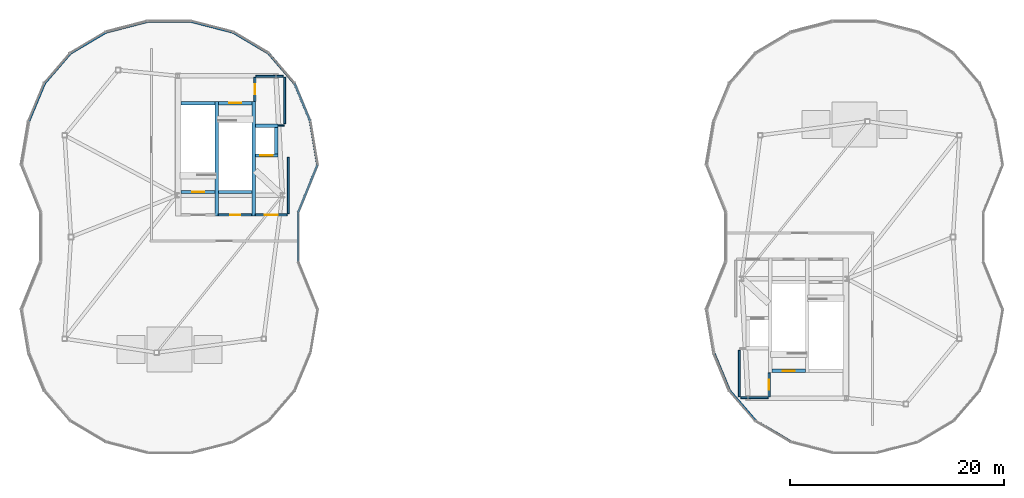
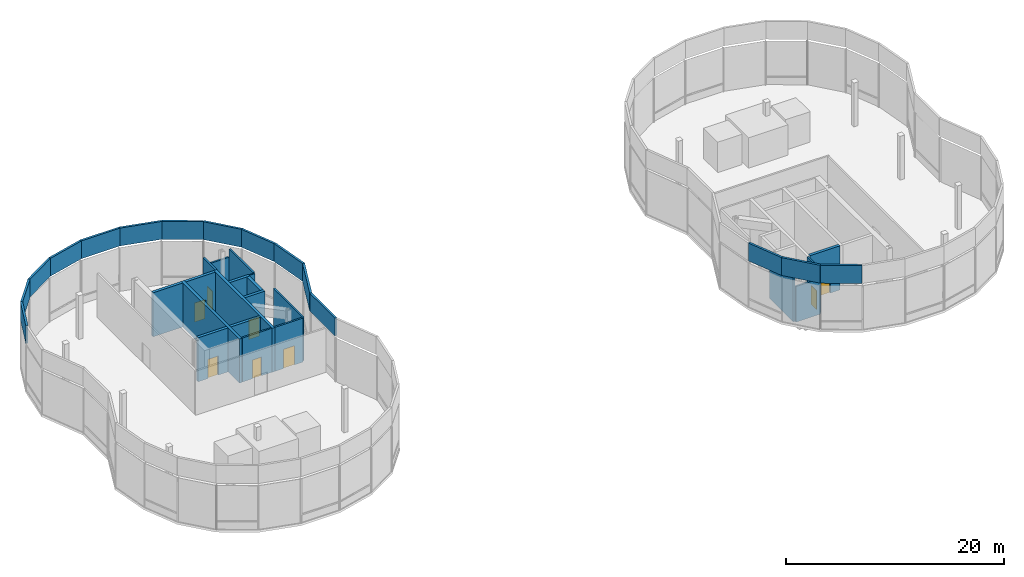
# One storey, part 11 of 14: 35 walls, 8 doors, 8 openings.
"""IFC4 building model written with IfcOpenShell, lengths in metres."""

from ifc_helpers import new_model, si_unit, direction, frame, frame_2d, origin, place, context, subcontext, project, spatial, rectangle, extrude, material, layer, layer_set, type_object, element, fill, save


model = new_model("IFC4")

# Units and contexts
model_context = context("Model", 3, precision=1e-05, world=origin(), true_north=direction((0.0, 1.0)))
body_context = subcontext(model_context, "Body", "Model", "MODEL_VIEW")
ifc_project = project(units=[si_unit("LENGTHUNIT", "METRE"), si_unit("AREAUNIT", "SQUARE_METRE"), si_unit("VOLUMEUNIT", "CUBIC_METRE"), si_unit("PLANEANGLEUNIT", "RADIAN"), si_unit("MASSUNIT", "GRAM", prefix="KILO"), si_unit("THERMODYNAMICTEMPERATUREUNIT", "KELVIN"), si_unit("POWERUNIT", "WATT")], contexts=[model_context])

# Site, building, storey
site_placement = place(None, origin())
site = spatial("IfcSite", under=ifc_project, at=site_placement, CompositionType="ELEMENT")
building_placement = place(site_placement, origin())
building = spatial("IfcBuilding", under=site, at=building_placement, Name="Cundina Bronze Exchange", CompositionType="ELEMENT")
storey_placement = place(building_placement, frame((0.0, 0.0, 286.39990234375)))
storey = spatial("IfcBuildingStorey", under=building, at=storey_placement, Name="L76", CompositionType="ELEMENT", Elevation=286.39990234375)

# Wall
ifc_material_1 = material(Name="Gypsum Fireboard Partition EI120")
ifc_layer_1 = layer(ifc_material_1, 0.179931640625, Name="Gypsum Fireboard Partition EI120")
ifc_layer_set_1 = layer_set([ifc_layer_1], Name="Gypsum Fireboard Partition EI120")
wall_type_1 = type_object("IfcWallType", Name="WL-COR-180", PredefinedType="PARTITIONING", material=ifc_layer_set_1)
wall_1_placement = place(storey_placement, frame((-20.889892578125, 2.14990234375, 0.0), z_axis=(0.0, 0.0, 1.0), x_axis=(0.0, 1.0, 0.0)))
element("IfcWall", 1, at=wall_1_placement, inside=storey, type_object=wall_type_1, Name="L76 W Firefighting Lobby Side Wall", PredefinedType="PARTITIONING", context=body_context, shape_type="SweptSolid", body=[
    extrude(rectangle(XDim=5.300048828125, YDim=0.179931640625, at=frame_2d((2.64990234375, 0.0))), origin(), (0.0, 0.0, 1.0), 4.93017578125),
])

# Wall, opening, door
wall_2_placement = place(storey_placement, frame((-23.97998046875, 2.06005859375, 0.0), z_axis=(0.0, 0.0, 1.0), x_axis=(1.0, 0.0, 0.0)))
wall_2 = element("IfcWall", 2, at=wall_2_placement, inside=storey, type_object=wall_type_1, Name="L76 W Firefighting Lobby Exit Wall", PredefinedType="PARTITIONING", context=body_context, shape_type="SweptSolid", body=[
    extrude(rectangle(XDim=3.0, YDim=0.179931640625, at=frame_2d((1.5, 0.0))), origin(), (0.0, 0.0, 1.0), 4.93017578125),
])
opening_1_placement = place(wall_2_placement, frame((0.89990234375, 0.0, 0.0)))
opening_1 = element("IfcOpeningElement", 3, at=opening_1_placement, cuts=wall_2, Name="Opening DF-01", PredefinedType="OPENING", context=body_context, shape_type="SweptSolid", body=[
    extrude(rectangle(XDim=1.199951171875, YDim=2.14990234375, at=frame_2d((0.60009765625, 1.074951171875))), frame((0.0, 0.099853515625, 0.0), z_axis=(0.0, -1.0, 0.0), x_axis=(1.0, 0.0, 0.0)), (0.0, 0.0, 1.0), 0.199951171875),
])
ifc_material_2 = material(Name="Steel ASTM A36 Painted", Category="steel")
door_type_1 = type_object("IfcDoorType", Name="DR-FFL-1200", OperationType="NOTDEFINED", PredefinedType="DOOR", material=ifc_material_2)
door_1_placement = place(opening_1_placement, origin())
door_1 = element("IfcDoor", 4, at=door_1_placement, inside=storey, type_object=door_type_1, Name="L76 W Firefighting Lobby Door", OperationType="SINGLE_SWING_RIGHT", OverallHeight=2.14990234375, OverallWidth=1.199951171875, PredefinedType="DOOR", context=body_context, shape_type="SweptSolid", body=[
    extrude(rectangle(XDim=1.199951171875, YDim=2.14990234375, at=frame_2d((0.60009765625, 1.074951171875))), frame((0.0, 0.02490234375, 0.0), z_axis=(0.0, -1.0, 0.0), x_axis=(1.0, 0.0, 0.0)), (0.0, 0.0, 1.0), 0.050048828125),
])
fill(opening_1, door_1)

# Walls
wall_3_placement = place(storey_placement, frame((-21.25, 10.570068359375, 0.0), z_axis=(0.0, 0.0, 1.0), x_axis=(0.0, 1.0, 0.0)))
element("IfcWall", 5, at=wall_3_placement, inside=storey, type_object=wall_type_1, Name="L76 Interior Partition 002", PredefinedType="PARTITIONING", context=body_context, shape_type="SweptSolid", body=[
    extrude(rectangle(XDim=4.35986328125, YDim=0.179931640625, at=frame_2d((2.179931640625, 0.0))), origin(), (0.0, 0.0, 1.0), 4.93017578125),
])
wall_4_placement = place(storey_placement, frame((-23.9599609375, 15.030029296875, 0.0), z_axis=(0.0, 0.0, 1.0), x_axis=(1.0, 0.0, 0.0)))
element("IfcWall", 6, at=wall_4_placement, inside=storey, type_object=wall_type_1, Name="L76 Interior Partition 003", PredefinedType="PARTITIONING", context=body_context, shape_type="SweptSolid", body=[
    extrude(rectangle(XDim=2.60986328125, YDim=0.179931640625, at=frame_2d((1.304931640625, 0.0))), origin(), (0.0, 0.0, 1.0), 4.003173828125),
])

# Wall, opening, door
wall_5_placement = place(storey_placement, frame((-27.419921875, 2.070068359375, 0.0), z_axis=(0.0, 0.0, 1.0), x_axis=(1.0, 0.0, 0.0)))
wall_5 = element("IfcWall", 7, at=wall_5_placement, inside=storey, type_object=wall_type_1, Name="L76 Interior Partition 004", PredefinedType="PARTITIONING", context=body_context, shape_type="SweptSolid", body=[
    extrude(rectangle(XDim=3.119873046875, YDim=0.179931640625, at=frame_2d((1.56005859375, 0.0))), origin(), (0.0, 0.0, 1.0), 4.93017578125),
])
opening_2_placement = place(wall_5_placement, frame((1.0849609375, 0.0, 0.0)))
opening_2 = element("IfcOpeningElement", 8, at=opening_2_placement, cuts=wall_5, Name="Opening DW-01", PredefinedType="OPENING", context=body_context, shape_type="SweptSolid", body=[
    extrude(rectangle(XDim=0.949951171875, YDim=2.10009765625, at=frame_2d((0.47509765625, 1.050048828125))), frame((0.0, 0.099853515625, 0.0), z_axis=(0.0, -1.0, 0.0), x_axis=(1.0, 0.0, 0.0)), (0.0, 0.0, 1.0), 0.199951171875),
])
ifc_material_3 = material(Name="Solid Andean Oak Timber Grade A", Category="wood")
door_type_2 = type_object("IfcDoorType", Name="DR-WC-950", OperationType="NOTDEFINED", PredefinedType="DOOR", material=ifc_material_3)
door_2_placement = place(opening_2_placement, origin())
door_2 = element("IfcDoor", 9, at=door_2_placement, inside=storey, type_object=door_type_2, Name="L76 Interior Door 004", OperationType="SINGLE_SWING_LEFT", OverallHeight=2.10009765625, OverallWidth=0.949951171875, PredefinedType="DOOR", context=body_context, shape_type="SweptSolid", body=[
    extrude(rectangle(XDim=0.949951171875, YDim=2.10009765625, at=frame_2d((0.47509765625, 1.050048828125))), frame((0.0, 0.02490234375, 0.0), z_axis=(0.0, -1.0, 0.0), x_axis=(1.0, 0.0, 0.0)), (0.0, 0.0, 1.0), 0.050048828125),
])
fill(opening_2, door_2)

wall_6_placement = place(storey_placement, frame((-24.02001953125, 12.669921875, 0.0), z_axis=(0.0, 0.0, 1.0), x_axis=(0.0, 1.0, 0.0)))
wall_6 = element("IfcWall", 10, at=wall_6_placement, inside=storey, type_object=wall_type_1, Name="L76 Interior Partition 005", PredefinedType="PARTITIONING", context=body_context, shape_type="SweptSolid", body=[
    extrude(rectangle(XDim=2.260009765625, YDim=0.179931640625, at=frame_2d((1.1298828125, 0.0))), origin(), (0.0, 0.0, 1.0), 4.93017578125),
])
opening_3_placement = place(wall_6_placement, frame((0.655029296875, 0.0, 0.0)))
opening_3 = element("IfcOpeningElement", 11, at=opening_3_placement, cuts=wall_6, Name="Opening DW-01", PredefinedType="OPENING", context=body_context, shape_type="SweptSolid", body=[
    extrude(rectangle(XDim=0.949951171875, YDim=2.10009765625, at=frame_2d((0.47509765625, 1.050048828125))), frame((0.0, 0.099853515625, 0.0), z_axis=(0.0, -1.0, 0.0), x_axis=(1.0, 0.0, 0.0)), (0.0, 0.0, 1.0), 0.199951171875),
])
door_3_placement = place(opening_3_placement, origin())
door_3 = element("IfcDoor", 12, at=door_3_placement, inside=storey, type_object=door_type_2, Name="L76 Interior Door 005", OperationType="SINGLE_SWING_LEFT", OverallHeight=2.10009765625, OverallWidth=0.949951171875, PredefinedType="DOOR", context=body_context, shape_type="SweptSolid", body=[
    extrude(rectangle(XDim=0.949951171875, YDim=2.10009765625, at=frame_2d((0.47509765625, 1.050048828125))), frame((0.0, 0.02490234375, 0.0), z_axis=(0.0, -1.0, 0.0), x_axis=(1.0, 0.0, 0.0)), (0.0, 0.0, 1.0), 0.050048828125),
])
fill(opening_3, door_3)

# Walls
wall_7_placement = place(storey_placement, frame((21.25, -14.929931640625, 0.0), z_axis=(0.0, 0.0, 1.0), x_axis=(0.0, 1.0, 0.0)))
element("IfcWall", 13, at=wall_7_placement, inside=storey, type_object=wall_type_1, Name="L76 Interior Partition 009", PredefinedType="PARTITIONING", context=body_context, shape_type="SweptSolid", body=[
    extrude(rectangle(XDim=4.35986328125, YDim=0.179931640625, at=frame_2d((2.179931640625, 0.0))), origin(), (0.0, 0.0, 1.0), 4.93017578125),
])
wall_8_placement = place(storey_placement, frame((21.35009765625, -15.030029296875, 0.0), z_axis=(0.0, 0.0, 1.0), x_axis=(1.0, 0.0, 0.0)))
element("IfcWall", 14, at=wall_8_placement, inside=storey, type_object=wall_type_1, Name="L76 Interior Partition 010", PredefinedType="PARTITIONING", context=body_context, shape_type="SweptSolid", body=[
    extrude(rectangle(XDim=2.60986328125, YDim=0.179931640625, at=frame_2d((1.304931640625, 0.0))), origin(), (0.0, 0.0, 1.0), 4.003173828125),
])

# Wall, opening, door
wall_9_placement = place(storey_placement, frame((24.02001953125, -14.929931640625, 0.0), z_axis=(0.0, 0.0, 1.0), x_axis=(0.0, 1.0, 0.0)))
wall_9 = element("IfcWall", 15, at=wall_9_placement, inside=storey, type_object=wall_type_1, Name="L76 Interior Partition 012", PredefinedType="PARTITIONING", context=body_context, shape_type="SweptSolid", body=[
    extrude(rectangle(XDim=2.260009765625, YDim=0.179931640625, at=frame_2d((1.1298828125, 0.0))), origin(), (0.0, 0.0, 1.0), 4.93017578125),
])
opening_4_placement = place(wall_9_placement, frame((0.655029296875, 0.0, 0.0)))
opening_4 = element("IfcOpeningElement", 16, at=opening_4_placement, cuts=wall_9, Name="Opening DW-01", PredefinedType="OPENING", context=body_context, shape_type="SweptSolid", body=[
    extrude(rectangle(XDim=0.949951171875, YDim=2.10009765625, at=frame_2d((0.47509765625, 1.050048828125))), frame((0.0, 0.099853515625, 0.0), z_axis=(0.0, -1.0, 0.0), x_axis=(1.0, 0.0, 0.0)), (0.0, 0.0, 1.0), 0.199951171875),
])
door_4_placement = place(opening_4_placement, origin())
door_4 = element("IfcDoor", 17, at=door_4_placement, inside=storey, type_object=door_type_2, Name="L76 Interior Door 012", OperationType="SINGLE_SWING_RIGHT", OverallHeight=2.10009765625, OverallWidth=0.949951171875, PredefinedType="DOOR", context=body_context, shape_type="SweptSolid", body=[
    extrude(rectangle(XDim=0.949951171875, YDim=2.10009765625, at=frame_2d((0.47509765625, 1.050048828125))), frame((0.0, 0.02490234375, 0.0), z_axis=(0.0, -1.0, 0.0), x_axis=(1.0, 0.0, 0.0)), (0.0, 0.0, 1.0), 0.050048828125),
])
fill(opening_4, door_4)

# Walls
ifc_material_4 = material(Name="Precast Concrete C45/55", Category="concrete")
ifc_layer_2 = layer(ifc_material_4, 0.219970703125, Name="Precast Concrete C45/55", Category="concrete")
ifc_layer_set_2 = layer_set([ifc_layer_2], Name="Precast Concrete C45/55")
wall_type_2 = type_object("IfcWallType", Name="WL-PAR-220", PredefinedType="PARAPET", material=ifc_layer_set_2)
wall_10_placement = place(storey_placement, frame((-19.991943359375, 2.283935546875, 5.2001953125), z_axis=(0.0, 0.0, 1.0), x_axis=(0.000531349553, -0.999999858834, 0.0)))
element("IfcWall", 18, at=wall_10_placement, inside=storey, type_object=wall_type_2, Name="L76 Leg W Crown Maintenance Parapet 01", PredefinedType="PARAPET", context=body_context, shape_type="SweptSolid", body=[
    extrude(rectangle(XDim=4.5947265625, YDim=0.219970703125, at=frame_2d((2.29736328125, 0.0))), origin(), (0.0, 0.0, 1.0), 2.0),
])
wall_11_placement = place(storey_placement, frame((-45.1396484375, 10.814208984375, 5.2001953125), z_axis=(0.0, 0.0, 1.0), x_axis=(0.383669064321, 0.923470654154, 0.0)))
element("IfcWall", 19, at=wall_11_placement, inside=storey, type_object=wall_type_2, Name="L76 Leg W Crown Maintenance Parapet 18", PredefinedType="PARAPET", context=body_context, shape_type="SweptSolid", body=[
    extrude(rectangle(XDim=3.829345703125, YDim=0.219970703125, at=frame_2d((1.91455078125, 0.0))), origin(), (0.0, 0.0, 1.0), 2.0),
])
wall_12_placement = place(storey_placement, frame((-43.67041015625, 14.3505859375, 5.2001953125), z_axis=(0.0, 0.0, 1.0), x_axis=(0.652473840564, 0.757811247858, 0.0)))
element("IfcWall", 20, at=wall_12_placement, inside=storey, type_object=wall_type_2, Name="L76 Leg W Crown Maintenance Parapet 19", PredefinedType="PARAPET", context=body_context, shape_type="SweptSolid", body=[
    extrude(rectangle(XDim=3.712890625, YDim=0.219970703125, at=frame_2d((1.8564453125, 0.0))), origin(), (0.0, 0.0, 1.0), 2.0),
])
wall_13_placement = place(storey_placement, frame((-41.247802734375, 17.164306640625, 5.2001953125), z_axis=(0.0, 0.0, 1.0), x_axis=(0.859779697284, 0.5106651272, 0.0)))
element("IfcWall", 21, at=wall_13_placement, inside=storey, type_object=wall_type_2, Name="L76 Leg W Crown Maintenance Parapet 20", PredefinedType="PARAPET", context=body_context, shape_type="SweptSolid", body=[
    extrude(rectangle(XDim=3.838623046875, YDim=0.219970703125, at=frame_2d((1.91943359375, 0.0))), origin(), (0.0, 0.0, 1.0), 2.0),
])
wall_14_placement = place(storey_placement, frame((-37.947509765625, 19.12451171875, 5.2001953125), z_axis=(0.0, 0.0, 1.0), x_axis=(0.968151728793, 0.250364194795, 0.0)))
element("IfcWall", 22, at=wall_14_placement, inside=storey, type_object=wall_type_2, Name="L76 Leg W Crown Maintenance Parapet 21", PredefinedType="PARAPET", context=body_context, shape_type="SweptSolid", body=[
    extrude(rectangle(XDim=4.0244140625, YDim=0.219970703125, at=frame_2d((2.01220703125, 0.0))), origin(), (0.0, 0.0, 1.0), 2.0),
])
wall_15_placement = place(storey_placement, frame((-34.05126953125, 20.132080078125, 5.2001953125), z_axis=(0.0, 0.0, 1.0), x_axis=(1.0, 0.0, 0.0)))
element("IfcWall", 23, at=wall_15_placement, inside=storey, type_object=wall_type_2, Name="L76 Leg W Crown Maintenance Parapet 22", PredefinedType="PARAPET", context=body_context, shape_type="SweptSolid", body=[
    extrude(rectangle(XDim=4.1025390625, YDim=0.219970703125, at=frame_2d((2.05126953125, 0.0))), origin(), (0.0, 0.0, 1.0), 2.0),
])
wall_16_placement = place(storey_placement, frame((-29.94873046875, 20.132080078125, 5.2001953125), z_axis=(0.0, 0.0, 1.0), x_axis=(0.968151728793, -0.250364194795, 0.0)))
element("IfcWall", 24, at=wall_16_placement, inside=storey, type_object=wall_type_2, Name="L76 Leg W Crown Maintenance Parapet 23", PredefinedType="PARAPET", context=body_context, shape_type="SweptSolid", body=[
    extrude(rectangle(XDim=4.0244140625, YDim=0.219970703125, at=frame_2d((2.01220703125, 0.0))), origin(), (0.0, 0.0, 1.0), 2.0),
])
wall_17_placement = place(storey_placement, frame((-26.052490234375, 19.12451171875, 5.2001953125), z_axis=(0.0, 0.0, 1.0), x_axis=(0.859779697284, -0.5106651272, 0.0)))
element("IfcWall", 25, at=wall_17_placement, inside=storey, type_object=wall_type_2, Name="L76 Leg W Crown Maintenance Parapet 24", PredefinedType="PARAPET", context=body_context, shape_type="SweptSolid", body=[
    extrude(rectangle(XDim=3.838623046875, YDim=0.219970703125, at=frame_2d((1.91943359375, 0.0))), origin(), (0.0, 0.0, 1.0), 2.0),
])
wall_18_placement = place(storey_placement, frame((-22.752197265625, 17.164306640625, 5.2001953125), z_axis=(0.0, 0.0, 1.0), x_axis=(0.652473840564, -0.757811247858, 0.0)))
element("IfcWall", 26, at=wall_18_placement, inside=storey, type_object=wall_type_2, Name="L76 Leg W Crown Maintenance Parapet 25", PredefinedType="PARAPET", context=body_context, shape_type="SweptSolid", body=[
    extrude(rectangle(XDim=3.712890625, YDim=0.219970703125, at=frame_2d((1.8564453125, 0.0))), origin(), (0.0, 0.0, 1.0), 2.0),
])
wall_19_placement = place(storey_placement, frame((-20.32958984375, 14.3505859375, 5.2001953125), z_axis=(0.0, 0.0, 1.0), x_axis=(0.383669064321, -0.923470654154, 0.0)))
element("IfcWall", 27, at=wall_19_placement, inside=storey, type_object=wall_type_2, Name="L76 Leg W Crown Maintenance Parapet 26", PredefinedType="PARAPET", context=body_context, shape_type="SweptSolid", body=[
    extrude(rectangle(XDim=3.829345703125, YDim=0.219970703125, at=frame_2d((1.91455078125, 0.0))), origin(), (0.0, 0.0, 1.0), 2.0),
])
wall_20_placement = place(storey_placement, frame((-18.8603515625, 10.814208984375, 5.2001953125), z_axis=(0.0, 0.0, 1.0), x_axis=(0.165110628258, -0.986275053135, 0.0)))
element("IfcWall", 28, at=wall_20_placement, inside=storey, type_object=wall_type_2, Name="L76 Leg W Crown Maintenance Parapet 27", PredefinedType="PARAPET", context=body_context, shape_type="SweptSolid", body=[
    extrude(rectangle(XDim=4.116455078125, YDim=0.219970703125, at=frame_2d((2.05810546875, 0.0))), origin(), (0.0, 0.0, 1.0), 2.0),
])
wall_21_placement = place(storey_placement, frame((-18.1806640625, 6.754150390625, 5.2001953125), z_axis=(0.0, 0.0, 1.0), x_axis=(-0.375532386136, -0.92680927216, 0.0)))
element("IfcWall", 29, at=wall_21_placement, inside=storey, type_object=wall_type_2, Name="L76 Leg W Crown Maintenance Parapet 28", PredefinedType="PARAPET", context=body_context, shape_type="SweptSolid", body=[
    extrude(rectangle(XDim=4.8232421875, YDim=0.219970703125, at=frame_2d((2.41162109375, 0.0))), origin(), (0.0, 0.0, 1.0), 2.0),
])
wall_22_placement = place(storey_placement, frame((26.052490234375, -19.12451171875, 5.2001953125), z_axis=(0.0, 0.0, 1.0), x_axis=(-0.859779697284, 0.5106651272, 0.0)))
element("IfcWall", 30, at=wall_22_placement, inside=storey, type_object=wall_type_2, Name="L76 Leg E Crown Maintenance Parapet 10", PredefinedType="PARAPET", context=body_context, shape_type="SweptSolid", body=[
    extrude(rectangle(XDim=3.838623046875, YDim=0.219970703125, at=frame_2d((1.91943359375, 0.0))), origin(), (0.0, 0.0, 1.0), 2.0),
])
wall_23_placement = place(storey_placement, frame((22.752197265625, -17.164306640625, 5.2001953125), z_axis=(0.0, 0.0, 1.0), x_axis=(-0.652473840564, 0.757811247858, 0.0)))
element("IfcWall", 31, at=wall_23_placement, inside=storey, type_object=wall_type_2, Name="L76 Leg E Crown Maintenance Parapet 11", PredefinedType="PARAPET", context=body_context, shape_type="SweptSolid", body=[
    extrude(rectangle(XDim=3.712890625, YDim=0.219970703125, at=frame_2d((1.8564453125, 0.0))), origin(), (0.0, 0.0, 1.0), 2.0),
])
wall_24_placement = place(storey_placement, frame((20.32958984375, -14.3505859375, 5.2001953125), z_axis=(0.0, 0.0, 1.0), x_axis=(-0.383669064321, 0.923470654154, 0.0)))
element("IfcWall", 32, at=wall_24_placement, inside=storey, type_object=wall_type_2, Name="L76 Leg E Crown Maintenance Parapet 12", PredefinedType="PARAPET", context=body_context, shape_type="SweptSolid", body=[
    extrude(rectangle(XDim=3.829345703125, YDim=0.219970703125, at=frame_2d((1.91455078125, 0.0))), origin(), (0.0, 0.0, 1.0), 2.0),
])
ifc_material_5 = material(Name="Concrete C50/60", Category="concrete")
ifc_layer_3 = layer(ifc_material_5, 0.300048828125, Name="Concrete C50/60", Category="concrete")
ifc_layer_set_3 = layer_set([ifc_layer_3], Name="Concrete C50/60")
wall_type_3 = type_object("IfcWallType", Name="WL-SHFT-300", PredefinedType="SHEAR", material=ifc_layer_set_3)
for number, where, z_axis, x_axis, name in (
    (33, (-27.590087890625, 1.969970703125, 0.0), (0.0, 0.0, 1.0), (0.0, 1.0, 0.0), "L76 W Stair Shaft Dividing Shear Wall"),
    (34, (-24.1298828125, 1.969970703125, 0.0), (0.0, 0.0, 1.0), (0.0, 1.0, 0.0), "L76 W Stair 2 East Shear Wall"),
):
    element("IfcWall", number, at=place(storey_placement, frame(where, z_axis=z_axis, x_axis=x_axis)), inside=storey, type_object=wall_type_3, Name=name, PredefinedType="SHEAR", context=body_context, shape_type="SweptSolid", body=[
        extrude(rectangle(XDim=10.679931640625, YDim=0.300048828125, at=frame_2d((5.33984375, 0.0))), origin(), (0.0, 0.0, 1.0), 4.93017578125),
    ])

# Wall, opening, door
wall_25_placement = place(storey_placement, frame((-30.89990234375, 4.199951171875, 0.0), z_axis=(0.0, 0.0, 1.0), x_axis=(1.0, 0.0, 0.0)))
wall_25 = element("IfcWall", 35, at=wall_25_placement, inside=storey, type_object=wall_type_3, Name="L76 Stair W1 Landing Wall", PredefinedType="SHEAR", context=body_context, shape_type="SweptSolid", body=[
    extrude(rectangle(XDim=3.159912109375, YDim=0.300048828125, at=frame_2d((1.580078125, 0.0))), origin(), (0.0, 0.0, 1.0), 4.93017578125),
])
opening_5_placement = place(wall_25_placement, frame((1.030029296875, 0.0, 0.0)))
opening_5 = element("IfcOpeningElement", 36, at=opening_5_placement, cuts=wall_25, Name="Opening DS-01", PredefinedType="OPENING", context=body_context, shape_type="SweptSolid", body=[
    extrude(rectangle(XDim=1.10009765625, YDim=2.14990234375, at=frame_2d((0.550048828125, 1.074951171875))), frame((0.0, 0.159912109375, 0.0), z_axis=(0.0, -1.0, 0.0), x_axis=(1.0, 0.0, 0.0)), (0.0, 0.0, 1.0), 0.320068359375),
])
door_type_3 = type_object("IfcDoorType", Name="DR-STR-1100", OperationType="NOTDEFINED", PredefinedType="DOOR", material=ifc_material_2)
door_5_placement = place(opening_5_placement, origin())
door_5 = element("IfcDoor", 37, at=door_5_placement, inside=storey, type_object=door_type_3, Name="L76 Smokeproof Stair W1 Door", OperationType="SINGLE_SWING_RIGHT", OverallHeight=2.14990234375, OverallWidth=1.10009765625, PredefinedType="DOOR", context=body_context, shape_type="SweptSolid", body=[
    extrude(rectangle(XDim=1.10009765625, YDim=2.14990234375, at=frame_2d((0.550048828125, 1.074951171875))), frame((0.0, 0.02490234375, 0.0), z_axis=(0.0, -1.0, 0.0), x_axis=(1.0, 0.0, 0.0)), (0.0, 0.0, 1.0), 0.050048828125),
])
fill(opening_5, door_5)

# Wall
wall_26_placement = place(storey_placement, frame((-30.89990234375, 12.5, 0.0), z_axis=(0.0, 0.0, 1.0), x_axis=(1.0, 0.0, 0.0)))
element("IfcWall", 38, at=wall_26_placement, inside=storey, type_object=wall_type_3, Name="L76 Stair W1 Far Shaft Wall", PredefinedType="SHEAR", context=body_context, shape_type="SweptSolid", body=[
    extrude(rectangle(XDim=3.159912109375, YDim=0.300048828125, at=frame_2d((1.580078125, 0.0))), origin(), (0.0, 0.0, 1.0), 4.93017578125),
])

# Wall, opening, door
wall_27_placement = place(storey_placement, frame((-27.43994140625, 12.5, 0.0), z_axis=(0.0, 0.0, 1.0), x_axis=(1.0, 0.0, 0.0)))
wall_27 = element("IfcWall", 39, at=wall_27_placement, inside=storey, type_object=wall_type_3, Name="L76 Stair W2 Landing Wall", PredefinedType="SHEAR", context=body_context, shape_type="SweptSolid", body=[
    extrude(rectangle(XDim=3.159912109375, YDim=0.300048828125, at=frame_2d((1.580078125, 0.0))), origin(), (0.0, 0.0, 1.0), 4.93017578125),
])
opening_6_placement = place(wall_27_placement, frame((1.030029296875, 0.0, 0.0)))
opening_6 = element("IfcOpeningElement", 40, at=opening_6_placement, cuts=wall_27, Name="Opening DS-01", PredefinedType="OPENING", context=body_context, shape_type="SweptSolid", body=[
    extrude(rectangle(XDim=1.10009765625, YDim=2.14990234375, at=frame_2d((0.550048828125, 1.074951171875))), frame((0.0, 0.159912109375, 0.0), z_axis=(0.0, -1.0, 0.0), x_axis=(1.0, 0.0, 0.0)), (0.0, 0.0, 1.0), 0.320068359375),
])
door_6_placement = place(opening_6_placement, origin())
door_6 = element("IfcDoor", 41, at=door_6_placement, inside=storey, type_object=door_type_3, Name="L76 Smokeproof Stair W2 Door", OperationType="SINGLE_SWING_LEFT", OverallHeight=2.14990234375, OverallWidth=1.10009765625, PredefinedType="DOOR", context=body_context, shape_type="SweptSolid", body=[
    extrude(rectangle(XDim=1.10009765625, YDim=2.14990234375, at=frame_2d((0.550048828125, 1.074951171875))), frame((0.0, 0.02490234375, 0.0), z_axis=(0.0, -1.0, 0.0), x_axis=(1.0, 0.0, 0.0)), (0.0, 0.0, 1.0), 0.050048828125),
])
fill(opening_6, door_6)

# Wall
wall_28_placement = place(storey_placement, frame((-27.43994140625, 4.199951171875, 0.0), z_axis=(0.0, 0.0, 1.0), x_axis=(1.0, 0.0, 0.0)))
element("IfcWall", 42, at=wall_28_placement, inside=storey, type_object=wall_type_3, Name="L76 Stair W2 Far Shaft Wall", PredefinedType="SHEAR", context=body_context, shape_type="SweptSolid", body=[
    extrude(rectangle(XDim=3.159912109375, YDim=0.300048828125, at=frame_2d((1.580078125, 0.0))), origin(), (0.0, 0.0, 1.0), 4.93017578125),
])

# Wall, opening, door
wall_29_placement = place(storey_placement, frame((-23.97998046875, 7.60009765625, 0.0), z_axis=(0.0, 0.0, 1.0), x_axis=(1.0, 0.0, 0.0)))
wall_29 = element("IfcWall", 43, at=wall_29_placement, inside=storey, type_object=wall_type_3, Name="L76 FFL-W Hoistway Front Wall", PredefinedType="SHEAR", context=body_context, shape_type="SweptSolid", body=[
    extrude(rectangle(XDim=2.10009765625, YDim=0.300048828125, at=frame_2d((1.050048828125, 0.0))), origin(), (0.0, 0.0, 1.0), 4.93017578125),
])
opening_7_placement = place(wall_29_placement, frame((0.47509765625, 0.0, 0.0)))
opening_7 = element("IfcOpeningElement", 44, at=opening_7_placement, cuts=wall_29, Name="Opening LD-01", PredefinedType="OPENING", context=body_context, shape_type="SweptSolid", body=[
    extrude(rectangle(XDim=1.14990234375, YDim=2.199951171875, at=frame_2d((0.574951171875, 1.10009765625))), frame((0.0, 0.159912109375, 0.0), z_axis=(0.0, -1.0, 0.0), x_axis=(1.0, 0.0, 0.0)), (0.0, 0.0, 1.0), 0.320068359375),
])
door_type_4 = type_object("IfcDoorType", Name="DR-LND-1150", OperationType="NOTDEFINED", PredefinedType="TRAPDOOR", material=ifc_material_2)
door_7_placement = place(opening_7_placement, origin())
door_7 = element("IfcDoor", 45, at=door_7_placement, inside=storey, type_object=door_type_4, Name="L76 FFL-W Sliding Landing Door", OperationType="SLIDING_TO_LEFT", OverallHeight=2.199951171875, OverallWidth=1.14990234375, PredefinedType="TRAPDOOR", context=body_context, shape_type="SweptSolid", body=[
    extrude(rectangle(XDim=1.14990234375, YDim=2.199951171875, at=frame_2d((0.574951171875, 1.10009765625))), frame((0.0, 0.02490234375, 0.0), z_axis=(0.0, -1.0, 0.0), x_axis=(1.0, 0.0, 0.0)), (0.0, 0.0, 1.0), 0.050048828125),
])
fill(opening_7, door_7)

# Walls
wall_30_placement = place(storey_placement, frame((-23.97998046875, 10.39990234375, 0.0), z_axis=(0.0, 0.0, 1.0), x_axis=(1.0, 0.0, 0.0)))
element("IfcWall", 46, at=wall_30_placement, inside=storey, type_object=wall_type_3, Name="L76 FFL-W Hoistway Back Wall", PredefinedType="SHEAR", context=body_context, shape_type="SweptSolid", body=[
    extrude(rectangle(XDim=2.10009765625, YDim=0.300048828125, at=frame_2d((1.050048828125, 0.0))), origin(), (0.0, 0.0, 1.0), 4.93017578125),
])
wall_31_placement = place(storey_placement, frame((-22.030029296875, 7.75, 0.0), z_axis=(0.0, 0.0, 1.0), x_axis=(0.0, 1.0, 0.0)))
element("IfcWall", 47, at=wall_31_placement, inside=storey, type_object=wall_type_3, Name="L76 FFL-W Hoistway Side Wall", PredefinedType="SHEAR", context=body_context, shape_type="SweptSolid", body=[
    extrude(rectangle(XDim=2.5, YDim=0.300048828125, at=frame_2d((1.25, 0.0))), origin(), (0.0, 0.0, 1.0), 4.93017578125),
])

# Wall, opening, door
wall_32_placement = place(storey_placement, frame((24.280029296875, -12.5, 0.0), z_axis=(0.0, 0.0, 1.0), x_axis=(1.0, 0.0, 0.0)))
wall_32 = element("IfcWall", 48, at=wall_32_placement, inside=storey, type_object=wall_type_3, Name="L76 Stair E2 Landing Wall", PredefinedType="SHEAR", context=body_context, shape_type="SweptSolid", body=[
    extrude(rectangle(XDim=3.159912109375, YDim=0.300048828125, at=frame_2d((1.580078125, 0.0))), origin(), (0.0, 0.0, 1.0), 4.93017578125),
])
opening_8_placement = place(wall_32_placement, frame((1.030029296875, 0.0, 0.0)))
opening_8 = element("IfcOpeningElement", 49, at=opening_8_placement, cuts=wall_32, Name="Opening DS-01", PredefinedType="OPENING", context=body_context, shape_type="SweptSolid", body=[
    extrude(rectangle(XDim=1.10009765625, YDim=2.14990234375, at=frame_2d((0.550048828125, 1.074951171875))), frame((0.0, 0.159912109375, 0.0), z_axis=(0.0, -1.0, 0.0), x_axis=(1.0, 0.0, 0.0)), (0.0, 0.0, 1.0), 0.320068359375),
])
door_8_placement = place(opening_8_placement, origin())
door_8 = element("IfcDoor", 50, at=door_8_placement, inside=storey, type_object=door_type_3, Name="L76 Smokeproof Stair E2 Door", OperationType="SINGLE_SWING_RIGHT", OverallHeight=2.14990234375, OverallWidth=1.10009765625, PredefinedType="DOOR", context=body_context, shape_type="SweptSolid", body=[
    extrude(rectangle(XDim=1.10009765625, YDim=2.14990234375, at=frame_2d((0.550048828125, 1.074951171875))), frame((0.0, 0.02490234375, 0.0), z_axis=(0.0, -1.0, 0.0), x_axis=(1.0, 0.0, 0.0)), (0.0, 0.0, 1.0), 0.050048828125),
])
fill(opening_8, door_8)

# Wall
ifc_material_6 = material(Name="Moisture-Resistant Masonry Block Grade M15", Category="masonry")
ifc_layer_4 = layer(ifc_material_6, 0.139892578125, Name="Moisture-Resistant Masonry Block Grade M15", Category="masonry")
ifc_layer_set_4 = layer_set([ifc_layer_4], Name="Moisture-Resistant Masonry Block Grade M15")
wall_type_4 = type_object("IfcWallType", Name="WL-WET-140", PredefinedType="PARTITIONING", material=ifc_layer_set_4)
wall_33_placement = place(storey_placement, frame((-21.860107421875, 10.39990234375, 0.0), z_axis=(0.0, 0.0, 1.0), x_axis=(1.0, 0.0, 0.0)))
element("IfcWall", 51, at=wall_33_placement, inside=storey, type_object=wall_type_4, Name="L76 Interior Partition 001", PredefinedType="PARTITIONING", context=body_context, shape_type="SweptSolid", body=[
    extrude(rectangle(XDim=0.590087890625, YDim=0.139892578125, at=frame_2d((0.294921875, 0.0))), origin(), (0.0, 0.0, 1.0), 4.93017578125),
])

save(model, "model.ifc")
